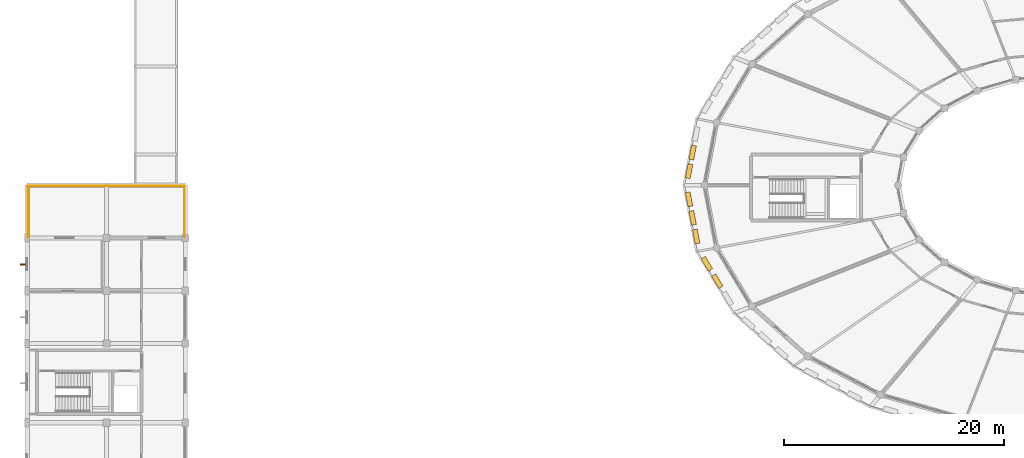
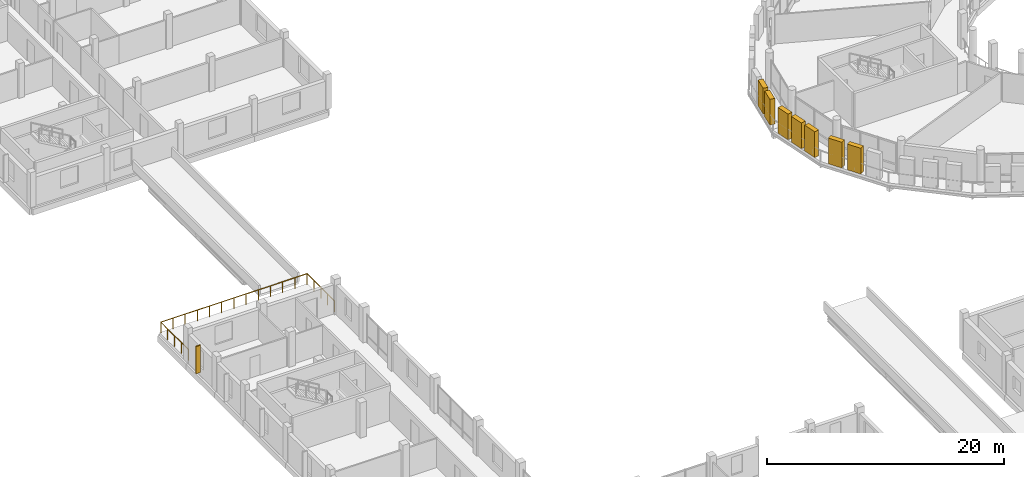
# One storey, part 87 of 93: 8 shading devices, 3 railings.
"""IFC4 building model written with IfcOpenShell, lengths in metres."""

import ifcopenshell
import ifcopenshell.guid

model = None  # the IFC model being written
_history = None  # IfcOwnerHistory: only IFC2X3 demands one
_inside = {}  # id of a spatial element -> (the spatial element, [elements in it])
_under = {}  # id of a project, library or spatial element -> (it, [spatial elements below it])
_declared = {}  # id of a project -> (the project, [libraries it declares])
_typed = {}  # id of a type object -> (the type object, [elements of that type])
_made_of = {}  # id of a material, layer set ... -> (it, [elements and type objects made of it])


def new_model(schema):
    """Start an empty IFC model of exactly this schema.

    Asked for "IFC4X3", IfcOpenShell would pick the latest addendum, in which some entities
    have other attributes; the version numbers below select the first issue.
    IFC2X3 requires an IfcOwnerHistory on every rooted entity: one is made here for all.
    """
    global model, _history
    if schema == "IFC4X3":
        model = ifcopenshell.file(schema_version=(4, 3, 0, 0))
    else:
        model = ifcopenshell.file(schema=schema)
    _inside.clear()
    _under.clear()
    _declared.clear()
    _typed.clear()
    _made_of.clear()
    _history = None
    if model.schema == "IFC2X3":
        org = make("IfcOrganization", Name="unknown")
        user = make(
            "IfcPersonAndOrganization",
            ThePerson=make("IfcPerson", FamilyName="unknown"),
            TheOrganization=org,
        )
        app = make(
            "IfcApplication",
            ApplicationDeveloper=org,
            Version="unknown",
            ApplicationFullName="unknown",
            ApplicationIdentifier="unknown",
        )
        _history = make(
            "IfcOwnerHistory",
            OwningUser=user,
            OwningApplication=app,
            ChangeAction="ADDED",
            CreationDate=0,
        )
    return model


def make(cls, **values):
    """One entity of the class cls with the attributes given. An attribute that is None is left unset."""
    return model.create_entity(
        cls, **{name: value for name, value in values.items() if value is not None}
    )


def rooted(cls, **values):
    """An entity with a GlobalId (a new one), such as an element, a storey or a relation."""
    return make(cls, GlobalId=ifcopenshell.guid.new(), OwnerHistory=_history, **values)


def si_unit(unit_type, name, prefix=None):
    """IfcSIUnit, for example si_unit("LENGTHUNIT", "METRE", prefix="MILLI")."""
    return make("IfcSIUnit", UnitType=unit_type, Prefix=prefix, Name=name)


def assignment(units):
    """IfcUnitAssignment: the units of a project."""
    return None if units is None else make("IfcUnitAssignment", Units=units)


def point(xyz):
    """IfcCartesianPoint."""
    return None if xyz is None else make("IfcCartesianPoint", Coordinates=xyz)


def direction(xyz):
    """IfcDirection."""
    return None if xyz is None else make("IfcDirection", DirectionRatios=xyz)


def frame(location, z_axis=None, x_axis=None):
    """IfcAxis2Placement3D, a coordinate frame: its origin and axes. An axis left out is left unset."""
    return make(
        "IfcAxis2Placement3D",
        Location=point(location),
        Axis=direction(z_axis),
        RefDirection=direction(x_axis),
    )


def frame_2d(location, x_axis=None):
    """IfcAxis2Placement2D, a coordinate frame in the plane: its origin and x axis."""
    return make(
        "IfcAxis2Placement2D", Location=point(location), RefDirection=direction(x_axis)
    )


def origin():
    """The frame at (0, 0, 0) with its axes left unset."""
    return frame((0.0, 0.0, 0.0))


def origin_2d():
    """The frame at (0, 0) in the plane with its x axis left unset."""
    return frame_2d((0.0, 0.0))


def place(relative_to, where):
    """IfcLocalPlacement: puts the frame where relative to a parent placement (None: the world)."""
    return make(
        "IfcLocalPlacement", PlacementRelTo=relative_to, RelativePlacement=where
    )


def context(
    kind, dimensions, precision=None, world=None, true_north=None, identifier=None
):
    """IfcGeometricRepresentationContext, for example the 3D "Model" context."""
    return make(
        "IfcGeometricRepresentationContext",
        ContextIdentifier=identifier,
        ContextType=kind,
        CoordinateSpaceDimension=dimensions,
        Precision=precision,
        WorldCoordinateSystem=world,
        TrueNorth=true_north,
    )


def subcontext(parent, identifier, kind, view, scale=None):
    """IfcGeometricRepresentationSubContext, for example "Body" below "Model"."""
    return make(
        "IfcGeometricRepresentationSubContext",
        ContextIdentifier=identifier,
        ContextType=kind,
        ParentContext=parent,
        TargetScale=scale,
        TargetView=view,
    )


def project(units=None, contexts=None):
    """IfcProject with its units and contexts."""
    return rooted(
        "IfcProject",
        Name="project",
        RepresentationContexts=contexts,
        UnitsInContext=assignment(units),
    )


def spatial(cls, under=None, at=None, **own):
    """A site, building, storey or space (cls), placed at a placement, below another one or the project."""
    s = rooted(cls, ObjectPlacement=at, **own)
    if under is not None:
        _under.setdefault(under.id(), (under, []))[1].append(s)
    return s


def profile(cls, at=None, kind="AREA", **sizes):
    """A parametric profile (cls). Its sizes go by their IFC names, for example OverallWidth=200.0."""
    return make(cls, ProfileType=kind, Position=at, **sizes)


def rectangle(**sizes):
    """IfcRectangleProfileDef."""
    return profile("IfcRectangleProfileDef", **sizes)


def circle(**sizes):
    """IfcCircleProfileDef."""
    return profile("IfcCircleProfileDef", **sizes)


def extrude(swept, where, along, depth):
    """IfcExtrudedAreaSolid: the profile swept, set in the frame where, extruded along a direction by depth."""
    return make(
        "IfcExtrudedAreaSolid",
        SweptArea=swept,
        Position=where,
        ExtrudedDirection=direction(along),
        Depth=depth,
    )


def shape(context_of_items, identifier, shape_type, items):
    """IfcShapeRepresentation: the items that make up one representation, for example the "Body"."""
    return make(
        "IfcShapeRepresentation",
        ContextOfItems=context_of_items,
        RepresentationIdentifier=identifier,
        RepresentationType=shape_type,
        Items=items,
    )


def material(Name=None, Category=None):
    """IfcMaterial."""
    return make("IfcMaterial", Name=Name, Category=Category)


def made_of(thing, what):
    """Note that an element or type object is made of a material, layer set ...; save() writes the relation."""
    if what is not None:
        _made_of.setdefault(what.id(), (what, []))[1].append(thing)
    return thing


def type_object(cls, material=None, **own):
    """A type object (cls), such as IfcWallType, which elements share."""
    return made_of(rooted(cls, **own), material)


def element(
    cls,
    number,
    at=None,
    inside=None,
    cuts=None,
    type_object=None,
    material=None,
    context=None,
    identifier="Body",
    shape_type=None,
    held_by="IfcProductDefinitionShape",
    body=None,
    shapes=None,
    **own,
):
    """One element of the class cls, such as IfcWall. Its Tag is "e" and its number.

    at: its placement. inside: the storey or other place that contains it. cuts: it is an
    opening in that element (IfcRelVoidsElement). A single representation is given by context,
    identifier, shape_type and body (its items); several are given by shapes. held_by: the class
    of the entity that holds the representations. save() writes the other relations.
    """
    e = rooted(cls, Tag="e%d" % number, ObjectPlacement=at, **own)
    if body is not None:
        shapes = [shape(context, identifier, shape_type, body)]
    if shapes is not None:
        e.Representation = make(held_by, Representations=shapes)
    if inside is not None:
        _inside.setdefault(inside.id(), (inside, []))[1].append(e)
    if cuts is not None:
        rooted(
            "IfcRelVoidsElement", RelatingBuildingElement=cuts, RelatedOpeningElement=e
        )
    if type_object is not None:
        _typed.setdefault(type_object.id(), (type_object, []))[1].append(e)
    return made_of(e, material)


def aggregate(whole, parts):
    """IfcRelAggregates: a whole, such as a stair, and the parts it consists of."""
    return rooted("IfcRelAggregates", RelatingObject=whole, RelatedObjects=parts)


def save(model, path):
    """Write the relations noted so far, then the file.

    IfcRelAggregates (storeys below a building ...), IfcRelContainedInSpatialStructure (elements
    in a storey), IfcRelDefinesByType, IfcRelAssociatesMaterial and IfcRelDeclares: one each for
    every whole, place, type object, material and project.
    """
    for whole, parts in _under.values():
        aggregate(whole, parts)
    for where, things in _inside.values():
        rooted(
            "IfcRelContainedInSpatialStructure",
            RelatedElements=things,
            RelatingStructure=where,
        )
    for kind, things in _typed.values():
        rooted("IfcRelDefinesByType", RelatedObjects=things, RelatingType=kind)
    for what, things in _made_of.values():
        rooted("IfcRelAssociatesMaterial", RelatedObjects=things, RelatingMaterial=what)
    for by, libraries in _declared.values():
        rooted("IfcRelDeclares", RelatingContext=by, RelatedDefinitions=libraries)
    model.write(path)


model = new_model("IFC4")

# Units and contexts
model_context = context("Model", 3, precision=1e-05, world=origin(), true_north=direction((0.0, 1.0)))
body_context = subcontext(model_context, "Body", "Model", "MODEL_VIEW")
ifc_project = project(units=[si_unit("LENGTHUNIT", "METRE"), si_unit("AREAUNIT", "SQUARE_METRE"), si_unit("VOLUMEUNIT", "CUBIC_METRE"), si_unit("PLANEANGLEUNIT", "RADIAN"), si_unit("MASSUNIT", "GRAM", prefix="KILO")], contexts=[model_context])

# Site, building, storey
site_placement = place(None, origin())
site = spatial("IfcSite", under=ifc_project, at=site_placement, CompositionType="ELEMENT")
building_placement = place(site_placement, origin())
building = spatial("IfcBuilding", under=site, at=building_placement, Name="Zornivar Specialist Clinic", CompositionType="ELEMENT")
storey_placement = place(building_placement, frame((0.0, 0.0, 8.39990234375)))
storey = spatial("IfcBuildingStorey", under=building, at=storey_placement, Name="L02", CompositionType="ELEMENT", Elevation=8.39990234375)

# Railings
ifc_material_1 = material(Name="Anodised Bronze Terrace Guardrail")
railing_type = type_object("IfcRailingType", Name="GRD-TERR-GUARD-1120", PredefinedType="GUARDRAIL", material=ifc_material_1)
railing_1_placement = place(storey_placement, frame((14.320068359375, 52.8798828125, 0.0)))
element("IfcRailing", 1, at=railing_1_placement, inside=storey, type_object=railing_type, Name="rail:V2:L02:terr:0:1", PredefinedType="GUARDRAIL", context=body_context, shape_type="SweptSolid", body=[
    extrude(circle(Radius=0.02392578125, at=origin_2d()), frame((0.0, 0.0, 1.09619140625), z_axis=(0.0, 1.0, 0.0), x_axis=(-1.0, 0.0, 0.0)), (0.0, 0.0, 1.0), 4.64013671875),
    extrude(circle(Radius=0.02099609375, at=origin_2d()), origin(), (0.0, 0.0, 1.0), 1.072021484375),
    extrude(circle(Radius=0.02099609375, at=origin_2d()), frame((0.0, 1.16015625, 0.0)), (0.0, 0.0, 1.0), 1.072021484375),
    extrude(circle(Radius=0.02099609375, at=origin_2d()), frame((0.0, 2.320068359375, 0.0)), (0.0, 0.0, 1.0), 1.072021484375),
    extrude(circle(Radius=0.02099609375, at=origin_2d()), frame((0.0, 3.47998046875, 0.0)), (0.0, 0.0, 1.0), 1.072021484375),
    extrude(circle(Radius=0.02099609375, at=origin_2d()), frame((0.0, 4.64013671875, 0.0)), (0.0, 0.0, 1.0), 1.072021484375),
])
railing_2_placement = place(storey_placement, frame((14.320068359375, 57.52001953125, 0.0)))
element("IfcRailing", 2, at=railing_2_placement, inside=storey, type_object=railing_type, Name="rail:V2:L02:terr:0:2", PredefinedType="GUARDRAIL", context=body_context, shape_type="SweptSolid", body=[
    extrude(circle(Radius=0.02392578125, at=origin_2d()), frame((0.0, 0.0, 1.09619140625), z_axis=(-1.0, 0.0, 0.0), x_axis=(0.0, -1.0, 0.0)), (0.0, 0.0, 1.0), 14.239990234375),
    extrude(circle(Radius=0.02099609375, at=origin_2d()), origin(), (0.0, 0.0, 1.0), 1.072021484375),
    extrude(circle(Radius=0.02099609375, at=origin_2d()), frame((-1.186767578125, 0.0, 0.0)), (0.0, 0.0, 1.0), 1.072021484375),
    extrude(circle(Radius=0.02099609375, at=origin_2d()), frame((-2.373291015625, 0.0, 0.0)), (0.0, 0.0, 1.0), 1.072021484375),
    extrude(circle(Radius=0.02099609375, at=origin_2d()), frame((-3.56005859375, 0.0, 0.0)), (0.0, 0.0, 1.0), 1.072021484375),
    extrude(circle(Radius=0.02099609375, at=origin_2d()), frame((-4.74658203125, 0.0, 0.0)), (0.0, 0.0, 1.0), 1.072021484375),
    extrude(circle(Radius=0.02099609375, at=origin_2d()), frame((-5.933349609375, 0.0, 0.0)), (0.0, 0.0, 1.0), 1.072021484375),
    extrude(circle(Radius=0.02099609375, at=origin_2d()), frame((-7.1201171875, 0.0, 0.0)), (0.0, 0.0, 1.0), 1.072021484375),
    extrude(circle(Radius=0.02099609375, at=origin_2d()), frame((-8.306640625, 0.0, 0.0)), (0.0, 0.0, 1.0), 1.072021484375),
    extrude(circle(Radius=0.02099609375, at=origin_2d()), frame((-9.493408203125, 0.0, 0.0)), (0.0, 0.0, 1.0), 1.072021484375),
    extrude(circle(Radius=0.02099609375, at=origin_2d()), frame((-10.679931640625, 0.0, 0.0)), (0.0, 0.0, 1.0), 1.072021484375),
    extrude(circle(Radius=0.02099609375, at=origin_2d()), frame((-11.86669921875, 0.0, 0.0)), (0.0, 0.0, 1.0), 1.072021484375),
    extrude(circle(Radius=0.02099609375, at=origin_2d()), frame((-13.05322265625, 0.0, 0.0)), (0.0, 0.0, 1.0), 1.072021484375),
    extrude(circle(Radius=0.02099609375, at=origin_2d()), frame((-14.239990234375, 0.0, 0.0)), (0.0, 0.0, 1.0), 1.072021484375),
])
railing_3_placement = place(storey_placement, frame((0.080078125, 57.52001953125, 0.0)))
element("IfcRailing", 3, at=railing_3_placement, inside=storey, type_object=railing_type, Name="rail:V2:L02:terr:0:3", PredefinedType="GUARDRAIL", context=body_context, shape_type="SweptSolid", body=[
    extrude(circle(Radius=0.02392578125, at=origin_2d()), frame((0.0, 0.0, 1.09619140625), z_axis=(0.0, -1.0, 0.0), x_axis=(1.0, 0.0, 0.0)), (0.0, 0.0, 1.0), 4.64013671875),
    extrude(circle(Radius=0.02099609375, at=origin_2d()), origin(), (0.0, 0.0, 1.0), 1.072021484375),
    extrude(circle(Radius=0.02099609375, at=origin_2d()), frame((0.0, -1.16015625, 0.0)), (0.0, 0.0, 1.0), 1.072021484375),
    extrude(circle(Radius=0.02099609375, at=origin_2d()), frame((0.0, -2.320068359375, 0.0)), (0.0, 0.0, 1.0), 1.072021484375),
    extrude(circle(Radius=0.02099609375, at=origin_2d()), frame((0.0, -3.47998046875, 0.0)), (0.0, 0.0, 1.0), 1.072021484375),
    extrude(circle(Radius=0.02099609375, at=origin_2d()), frame((0.0, -4.64013671875, 0.0)), (0.0, 0.0, 1.0), 1.072021484375),
])

# Shading devices
ifc_material_2 = material(Name="Oiled European Larch Timber Louvre Shutter", Category="wood")
shading_device_type_1 = type_object("IfcShadingDeviceType", Name="SHD-DRUM-SHUTTER-450", PredefinedType="SHUTTER", material=ifc_material_2)
for number, where, z_axis, x_axis, name in (
    (4, (60.50390625, 60.571044921875, 0.000244140625), (0.0, 0.0, 1.0), (-0.188098987302, -0.982150075587, 0.0), "shutter:V1:L02:c11:1"),
    (5, (60.179931640625, 58.881103515625, 0.000244140625), (0.0, 0.0, 1.0), (-0.188098987302, -0.982150075587, 0.0), "shutter:V1:L02:c11:2"),
    (6, (60.179931640625, 56.319091796875, 0.000244140625), (0.0, 0.0, 1.0), (0.188098987302, -0.982150075587, 0.0), "shutter:V1:L02:c12:0"),
    (7, (60.50390625, 54.62890625, 0.000244140625), (0.0, 0.0, 1.0), (0.188098987302, -0.982150075587, 0.0), "shutter:V1:L02:c12:1"),
    (8, (60.826904296875, 52.93896484375, 0.000244140625), (0.0, 0.0, 1.0), (0.188098987302, -0.982150075587, 0.0), "shutter:V1:L02:c12:2"),
    (9, (61.7958984375, 50.4560546875, 0.000244140625), (0.0, 0.0, 1.0), (0.516018019467, -0.856577727696, 0.0), "shutter:V1:L02:c13:0"),
    (10, (62.743896484375, 48.881103515625, 0.000244140625), (0.0, 0.0, 1.0), (0.516018019467, -0.856577727696, 0.0), "shutter:V1:L02:c13:1"),
):
    element("IfcShadingDevice", number, at=place(storey_placement, frame(where, z_axis=z_axis, x_axis=x_axis)), inside=storey, type_object=shading_device_type_1, Name=name, PredefinedType="SHUTTER", context=body_context, shape_type="SweptSolid", body=[
        extrude(rectangle(XDim=1.300048828125, YDim=0.449951171875, at=origin_2d()), origin(), (0.0, 0.0, 1.0), 2.64990234375),
    ])
ifc_material_3 = material(Name="Oiled Larch and Bronze Solar Fin")
shading_device_type_2 = type_object("IfcShadingDeviceType", Name="SHD-FACADE-FIN-450", PredefinedType="JALOUSIE", material=ifc_material_3)
shading_device_placement = place(storey_placement, frame((-0.405029296875, 50.39990234375, 0.375), z_axis=(0.0, 0.0, 1.0), x_axis=(0.0, -1.0, 0.0)))
element("IfcShadingDevice", 11, at=shading_device_placement, inside=storey, type_object=shading_device_type_2, Name="fin:V2:L02:22", PredefinedType="JALOUSIE", context=body_context, shape_type="SweptSolid", body=[
    extrude(rectangle(XDim=0.1201171875, YDim=0.449951171875, at=origin_2d()), origin(), (0.0, 0.0, 1.0), 2.800048828125),
])

save(model, "model.ifc")
